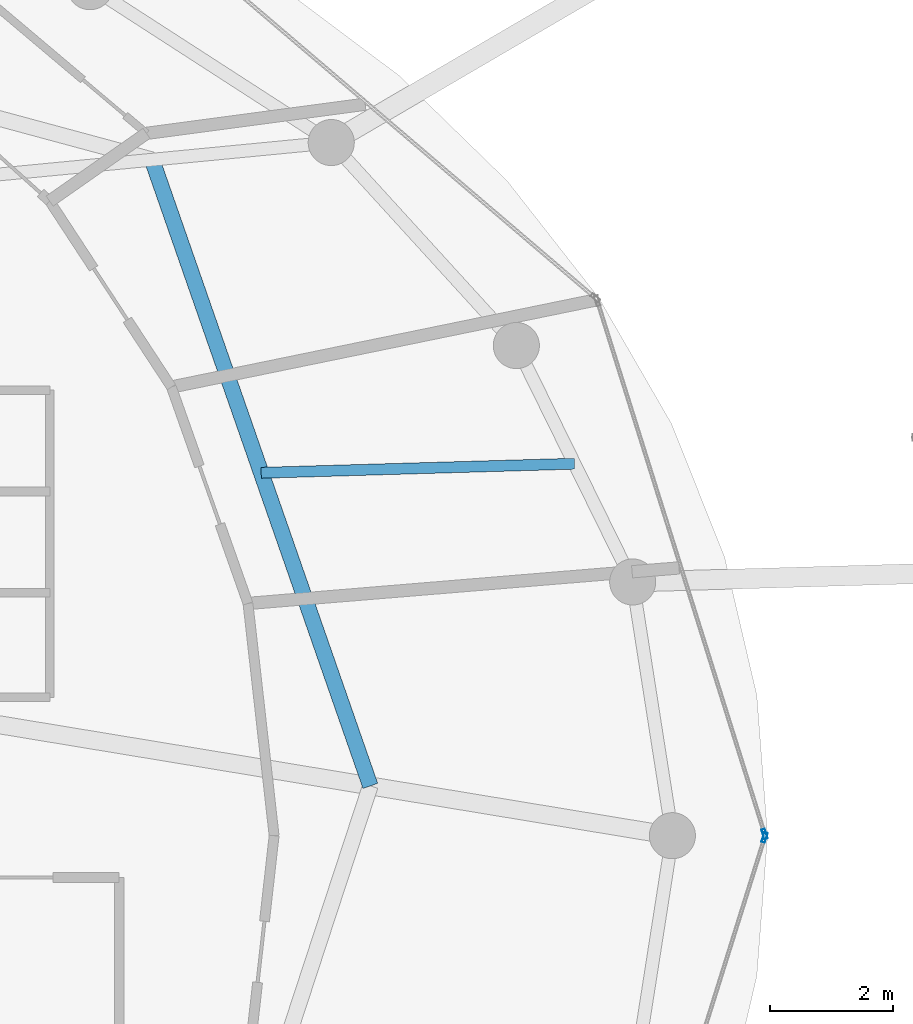
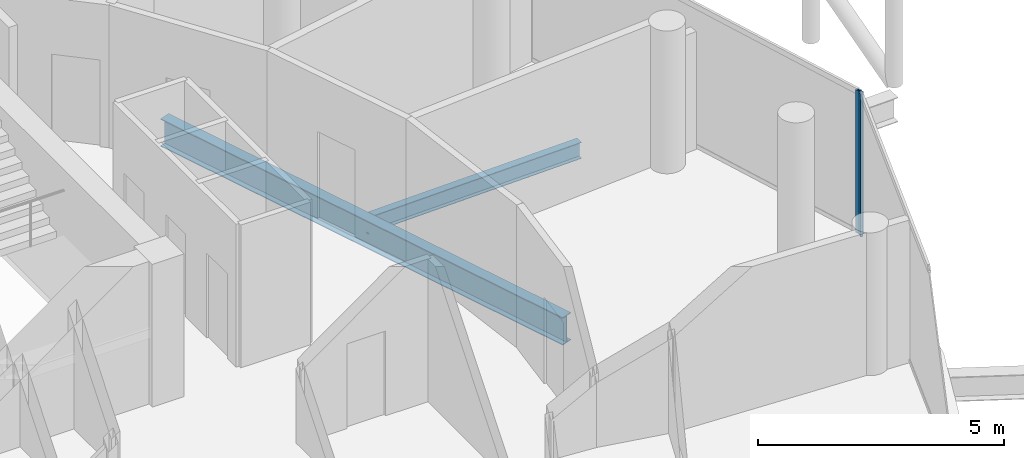
# One storey, part 12 of 24: 2 beams, 2 members, 2 elements without a shape of their own.
"""IFC4 building model written with IfcOpenShell, lengths in metres."""

import ifcopenshell
import ifcopenshell.guid

model = None  # the IFC model being written
_history = None  # IfcOwnerHistory: only IFC2X3 demands one
_inside = {}  # id of a spatial element -> (the spatial element, [elements in it])
_under = {}  # id of a project, library or spatial element -> (it, [spatial elements below it])
_declared = {}  # id of a project -> (the project, [libraries it declares])
_typed = {}  # id of a type object -> (the type object, [elements of that type])
_made_of = {}  # id of a material, layer set ... -> (it, [elements and type objects made of it])


def new_model(schema):
    """Start an empty IFC model of exactly this schema.

    Asked for "IFC4X3", IfcOpenShell would pick the latest addendum, in which some entities
    have other attributes; the version numbers below select the first issue.
    IFC2X3 requires an IfcOwnerHistory on every rooted entity: one is made here for all.
    """
    global model, _history
    if schema == "IFC4X3":
        model = ifcopenshell.file(schema_version=(4, 3, 0, 0))
    else:
        model = ifcopenshell.file(schema=schema)
    _inside.clear()
    _under.clear()
    _declared.clear()
    _typed.clear()
    _made_of.clear()
    _history = None
    if model.schema == "IFC2X3":
        org = make("IfcOrganization", Name="unknown")
        user = make(
            "IfcPersonAndOrganization",
            ThePerson=make("IfcPerson", FamilyName="unknown"),
            TheOrganization=org,
        )
        app = make(
            "IfcApplication",
            ApplicationDeveloper=org,
            Version="unknown",
            ApplicationFullName="unknown",
            ApplicationIdentifier="unknown",
        )
        _history = make(
            "IfcOwnerHistory",
            OwningUser=user,
            OwningApplication=app,
            ChangeAction="ADDED",
            CreationDate=0,
        )
    return model


def make(cls, **values):
    """One entity of the class cls with the attributes given. An attribute that is None is left unset."""
    return model.create_entity(
        cls, **{name: value for name, value in values.items() if value is not None}
    )


def rooted(cls, **values):
    """An entity with a GlobalId (a new one), such as an element, a storey or a relation."""
    return make(cls, GlobalId=ifcopenshell.guid.new(), OwnerHistory=_history, **values)


def si_unit(unit_type, name, prefix=None):
    """IfcSIUnit, for example si_unit("LENGTHUNIT", "METRE", prefix="MILLI")."""
    return make("IfcSIUnit", UnitType=unit_type, Prefix=prefix, Name=name)


def assignment(units):
    """IfcUnitAssignment: the units of a project."""
    return None if units is None else make("IfcUnitAssignment", Units=units)


def point(xyz):
    """IfcCartesianPoint."""
    return None if xyz is None else make("IfcCartesianPoint", Coordinates=xyz)


def direction(xyz):
    """IfcDirection."""
    return None if xyz is None else make("IfcDirection", DirectionRatios=xyz)


def frame(location, z_axis=None, x_axis=None):
    """IfcAxis2Placement3D, a coordinate frame: its origin and axes. An axis left out is left unset."""
    return make(
        "IfcAxis2Placement3D",
        Location=point(location),
        Axis=direction(z_axis),
        RefDirection=direction(x_axis),
    )


def frame_2d(location, x_axis=None):
    """IfcAxis2Placement2D, a coordinate frame in the plane: its origin and x axis."""
    return make(
        "IfcAxis2Placement2D", Location=point(location), RefDirection=direction(x_axis)
    )


def origin():
    """The frame at (0, 0, 0) with its axes left unset."""
    return frame((0.0, 0.0, 0.0))


def origin_2d():
    """The frame at (0, 0) in the plane with its x axis left unset."""
    return frame_2d((0.0, 0.0))


def place(relative_to, where):
    """IfcLocalPlacement: puts the frame where relative to a parent placement (None: the world)."""
    return make(
        "IfcLocalPlacement", PlacementRelTo=relative_to, RelativePlacement=where
    )


def context(
    kind, dimensions, precision=None, world=None, true_north=None, identifier=None
):
    """IfcGeometricRepresentationContext, for example the 3D "Model" context."""
    return make(
        "IfcGeometricRepresentationContext",
        ContextIdentifier=identifier,
        ContextType=kind,
        CoordinateSpaceDimension=dimensions,
        Precision=precision,
        WorldCoordinateSystem=world,
        TrueNorth=true_north,
    )


def subcontext(parent, identifier, kind, view, scale=None):
    """IfcGeometricRepresentationSubContext, for example "Body" below "Model"."""
    return make(
        "IfcGeometricRepresentationSubContext",
        ContextIdentifier=identifier,
        ContextType=kind,
        ParentContext=parent,
        TargetScale=scale,
        TargetView=view,
    )


def project(units=None, contexts=None):
    """IfcProject with its units and contexts."""
    return rooted(
        "IfcProject",
        Name="project",
        RepresentationContexts=contexts,
        UnitsInContext=assignment(units),
    )


def spatial(cls, under=None, at=None, **own):
    """A site, building, storey or space (cls), placed at a placement, below another one or the project."""
    s = rooted(cls, ObjectPlacement=at, **own)
    if under is not None:
        _under.setdefault(under.id(), (under, []))[1].append(s)
    return s


def profile(cls, at=None, kind="AREA", **sizes):
    """A parametric profile (cls). Its sizes go by their IFC names, for example OverallWidth=200.0."""
    return make(cls, ProfileType=kind, Position=at, **sizes)


def hollow_rectangle(**sizes):
    """IfcRectangleHollowProfileDef."""
    return profile("IfcRectangleHollowProfileDef", **sizes)


def i_section(**sizes):
    """IfcIShapeProfileDef."""
    return profile("IfcIShapeProfileDef", **sizes)


def extrude(swept, where, along, depth):
    """IfcExtrudedAreaSolid: the profile swept, set in the frame where, extruded along a direction by depth."""
    return make(
        "IfcExtrudedAreaSolid",
        SweptArea=swept,
        Position=where,
        ExtrudedDirection=direction(along),
        Depth=depth,
    )


def shape(context_of_items, identifier, shape_type, items):
    """IfcShapeRepresentation: the items that make up one representation, for example the "Body"."""
    return make(
        "IfcShapeRepresentation",
        ContextOfItems=context_of_items,
        RepresentationIdentifier=identifier,
        RepresentationType=shape_type,
        Items=items,
    )


def material(Name=None, Category=None):
    """IfcMaterial."""
    return make("IfcMaterial", Name=Name, Category=Category)


def layer(
    of_material, thickness, ventilated=None, Name=None, Category=None, Priority=None
):
    """IfcMaterialLayer: one layer of a wall or slab, of a material (None: an air gap)."""
    return make(
        "IfcMaterialLayer",
        Material=of_material,
        LayerThickness=thickness,
        IsVentilated=ventilated,
        Name=Name,
        Category=Category,
        Priority=Priority,
    )


def layer_set(layers, Name=None):
    """IfcMaterialLayerSet."""
    return make("IfcMaterialLayerSet", MaterialLayers=layers, LayerSetName=Name)


def material_profile(
    of_material, cross_section, Name=None, Category=None, Priority=None
):
    """IfcMaterialProfile: a cross section and its material."""
    return make(
        "IfcMaterialProfile",
        Name=Name,
        Material=of_material,
        Profile=cross_section,
        Priority=Priority,
        Category=Category,
    )


def profile_set(profiles, Name=None, composite=None):
    """IfcMaterialProfileSet."""
    return make(
        "IfcMaterialProfileSet",
        Name=Name,
        MaterialProfiles=profiles,
        CompositeProfile=composite,
    )


def made_of(thing, what):
    """Note that an element or type object is made of a material, layer set ...; save() writes the relation."""
    if what is not None:
        _made_of.setdefault(what.id(), (what, []))[1].append(thing)
    return thing


def type_object(cls, material=None, **own):
    """A type object (cls), such as IfcWallType, which elements share."""
    return made_of(rooted(cls, **own), material)


def element(
    cls,
    number,
    at=None,
    inside=None,
    cuts=None,
    type_object=None,
    material=None,
    context=None,
    identifier="Body",
    shape_type=None,
    held_by="IfcProductDefinitionShape",
    body=None,
    shapes=None,
    **own,
):
    """One element of the class cls, such as IfcWall. Its Tag is "e" and its number.

    at: its placement. inside: the storey or other place that contains it. cuts: it is an
    opening in that element (IfcRelVoidsElement). A single representation is given by context,
    identifier, shape_type and body (its items); several are given by shapes. held_by: the class
    of the entity that holds the representations. save() writes the other relations.
    """
    e = rooted(cls, Tag="e%d" % number, ObjectPlacement=at, **own)
    if body is not None:
        shapes = [shape(context, identifier, shape_type, body)]
    if shapes is not None:
        e.Representation = make(held_by, Representations=shapes)
    if inside is not None:
        _inside.setdefault(inside.id(), (inside, []))[1].append(e)
    if cuts is not None:
        rooted(
            "IfcRelVoidsElement", RelatingBuildingElement=cuts, RelatedOpeningElement=e
        )
    if type_object is not None:
        _typed.setdefault(type_object.id(), (type_object, []))[1].append(e)
    return made_of(e, material)


def aggregate(whole, parts):
    """IfcRelAggregates: a whole, such as a stair, and the parts it consists of."""
    return rooted("IfcRelAggregates", RelatingObject=whole, RelatedObjects=parts)


def save(model, path):
    """Write the relations noted so far, then the file.

    IfcRelAggregates (storeys below a building ...), IfcRelContainedInSpatialStructure (elements
    in a storey), IfcRelDefinesByType, IfcRelAssociatesMaterial and IfcRelDeclares: one each for
    every whole, place, type object, material and project.
    """
    for whole, parts in _under.values():
        aggregate(whole, parts)
    for where, things in _inside.values():
        rooted(
            "IfcRelContainedInSpatialStructure",
            RelatedElements=things,
            RelatingStructure=where,
        )
    for kind, things in _typed.values():
        rooted("IfcRelDefinesByType", RelatedObjects=things, RelatingType=kind)
    for what, things in _made_of.values():
        rooted("IfcRelAssociatesMaterial", RelatedObjects=things, RelatingMaterial=what)
    for by, libraries in _declared.values():
        rooted("IfcRelDeclares", RelatingContext=by, RelatedDefinitions=libraries)
    model.write(path)


model = new_model("IFC4")

# Units and contexts
model_context = context("Model", 3, precision=1e-05, world=origin(), true_north=direction((0.0, 1.0)))
body_context = subcontext(model_context, "Body", "Model", "MODEL_VIEW")
ifc_project = project(units=[si_unit("LENGTHUNIT", "METRE"), si_unit("AREAUNIT", "SQUARE_METRE"), si_unit("VOLUMEUNIT", "CUBIC_METRE"), si_unit("PLANEANGLEUNIT", "RADIAN"), si_unit("MASSUNIT", "GRAM", prefix="KILO")], contexts=[model_context])

# Site, building, storey
site_placement = place(None, origin())
site = spatial("IfcSite", under=ifc_project, at=site_placement, CompositionType="ELEMENT")
building_placement = place(site_placement, origin())
building = spatial("IfcBuilding", under=site, at=building_placement, Name="Nuhasar Tower", CompositionType="ELEMENT")
storey_placement = place(building_placement, frame((0.0, 0.0, 259.39990234375)))
storey = spatial("IfcBuildingStorey", under=building, at=storey_placement, Name="L64", CompositionType="ELEMENT", Elevation=259.39990234375)

# Beams
ifc_material_1 = material(Name="Steel S355", Category="steel")
ifc_material_profile_1 = material_profile(ifc_material_1, i_section(OverallWidth=0.25390625, OverallDepth=0.68408203125, WebThickness=0.012451171875, FlangeThickness=0.018798828125, at=origin_2d()), Name="W27X94")
ifc_profile_set_1 = profile_set([ifc_material_profile_1], Name="Steel S355")
beam_type_1 = type_object("IfcBeamType", Name="BM-INRING-W27X94", PredefinedType="BEAM", material=ifc_profile_set_1)
beam_1_placement = place(storey_placement, frame((53.035888671875, 27.610107421875, -0.601806640625), z_axis=(-0.329211236979, 0.944256300718, 0.0), x_axis=(-0.944256300718, -0.329211236979, 0.0)))
element("IfcBeam", 1, at=beam_1_placement, inside=storey, type_object=beam_type_1, Name="L64 Inner Header Beam 04", PredefinedType="BEAM", context=body_context, shape_type="SweptSolid", body=[
    extrude(i_section(OverallWidth=0.25390625, OverallDepth=0.68408203125, WebThickness=0.012451171875, FlangeThickness=0.018798828125, at=origin_2d()), origin(), (0.0, 0.0, 1.0), 10.78955078125),
])
ifc_material_profile_2 = material_profile(ifc_material_1, i_section(OverallWidth=0.177978515625, OverallDepth=0.406005859375, WebThickness=0.0078125, FlangeThickness=0.0126953125, at=origin_2d()), Name="W16X40")
ifc_profile_set_2 = profile_set([ifc_material_profile_2], Name="Steel S355")
beam_type_2 = type_object("IfcBeamType", Name="BM-JST-W16X40", PredefinedType="JOIST", material=ifc_profile_set_2)
beam_2_placement = place(storey_placement, frame((51.260009765625, 32.7041015625, -0.462890625), z_axis=(0.999579139243, 0.02900938453, 0.0), x_axis=(-0.02900938453, 0.999579139243, 0.0)))
element("IfcBeam", 2, at=beam_2_placement, inside=storey, type_object=beam_type_2, Name="L64 Secondary Floor Joist 04", PredefinedType="JOIST", context=body_context, shape_type="SweptSolid", body=[
    extrude(i_section(OverallWidth=0.177978515625, OverallDepth=0.406005859375, WebThickness=0.0078125, FlangeThickness=0.0126953125, at=origin_2d()), origin(), (0.0, 0.0, 1.0), 5.10009765625),
])

# Curtain wall, member
ifc_material_2 = material(Name="Aluminium 6063-T6", Category="aluminium")
ifc_layer = layer(ifc_material_2, 0.18994140625)
ifc_layer_set = layer_set([ifc_layer], Name="Aluminium 6063-T6")
curtain_wall_type = type_object("IfcCurtainWallType", Name="CW-Z4-PEN", PredefinedType="NOTDEFINED", material=ifc_layer_set)
curtain_wall_1_placement = place(storey_placement, origin())
curtain_wall_1 = element("IfcCurtainWall", 3, at=curtain_wall_1_placement, inside=storey, type_object=curtain_wall_type, Name="L64 Unitised Curtain Wall 01", PredefinedType="NOTDEFINED")
ifc_material_profile_3 = material_profile(ifc_material_2, hollow_rectangle(XDim=0.06005859375, YDim=0.1650390625, WallThickness=0.0048828125, at=origin_2d()), Name="CWM-5")
ifc_profile_set_3 = profile_set([ifc_material_profile_3], Name="Aluminium 6063-T6")
member_type = type_object("IfcMemberType", Name="CW-MUL-S5", PredefinedType="MULLION", material=ifc_profile_set_3)
member_1_placement = place(storey_placement, frame((59.450927734375, 26.82861328125, 0.0), z_axis=(0.0, 0.0, 1.0), x_axis=(-0.954078526601, -0.299556614146, 0.0)))
member_1 = element("IfcMember", 4, at=member_1_placement, type_object=member_type, Name="CW-Z4 mullion 1", PredefinedType="MULLION", context=body_context, shape_type="SweptSolid", body=[
    extrude(hollow_rectangle(XDim=0.06005859375, YDim=0.1650390625, WallThickness=0.0048828125, at=origin_2d()), origin(), (0.0, 0.0, 1.0), 3.5400390625),
])
aggregate(curtain_wall_1, [member_1])

curtain_wall_2_placement = place(storey_placement, origin())
curtain_wall_2 = element("IfcCurtainWall", 5, at=curtain_wall_2_placement, inside=storey, type_object=curtain_wall_type, Name="L64 Unitised Curtain Wall 12", PredefinedType="NOTDEFINED")
member_2_placement = place(storey_placement, frame((59.450927734375, 26.771484375, 0.0), z_axis=(0.0, 0.0, 1.0), x_axis=(-0.954078526601, 0.299556614146, 0.0)))
member_2 = element("IfcMember", 6, at=member_2_placement, type_object=member_type, Name="CW-Z4 mullion 2", PredefinedType="MULLION", context=body_context, shape_type="SweptSolid", body=[
    extrude(hollow_rectangle(XDim=0.06005859375, YDim=0.1650390625, WallThickness=0.0048828125, at=origin_2d()), origin(), (0.0, 0.0, 1.0), 3.5400390625),
])
aggregate(curtain_wall_2, [member_2])

save(model, "model.ifc")
